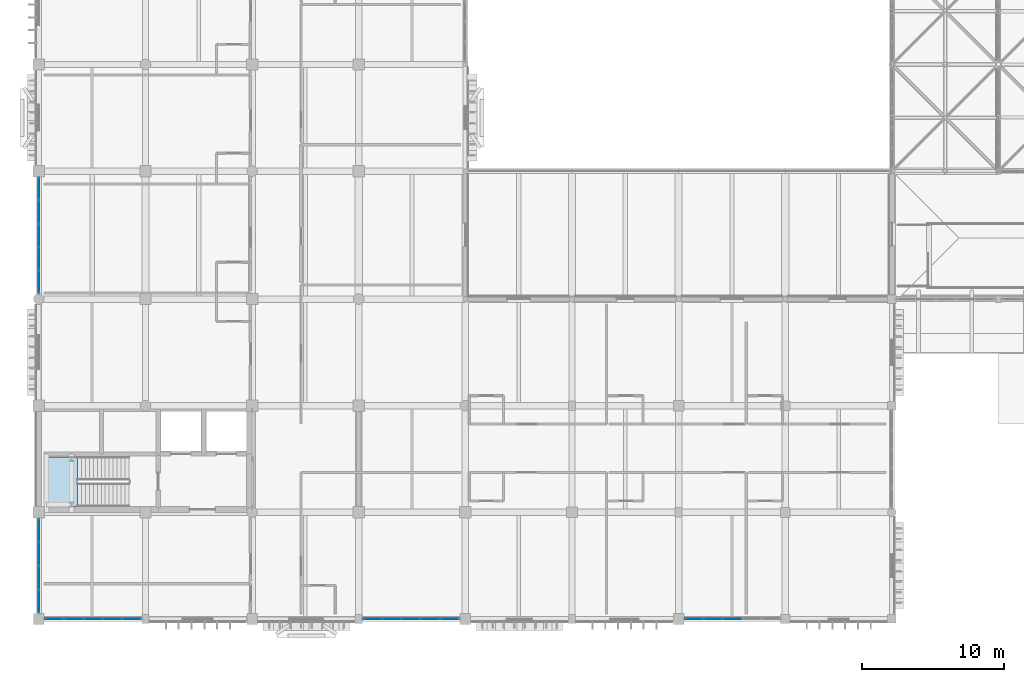
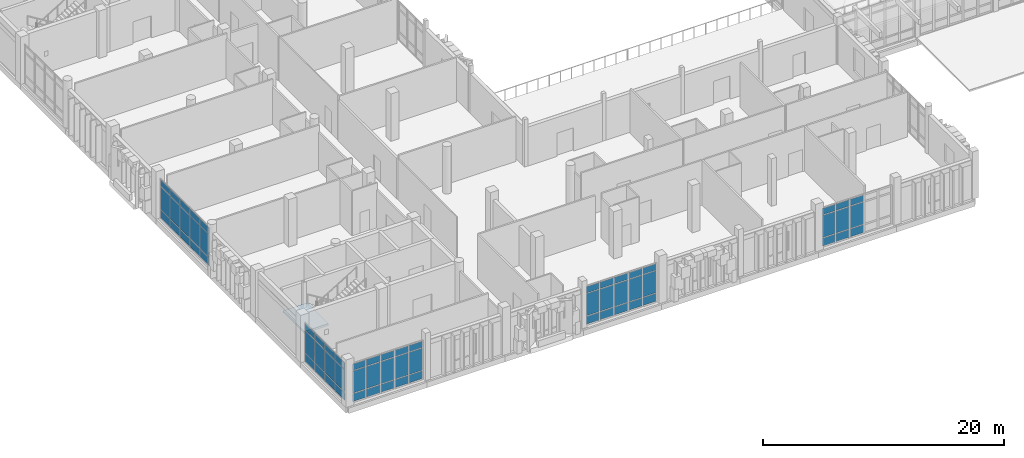
# One storey, part 74 of 131: 66 plates, 1 slab, 6 elements without a shape of their own.
"""IFC4 building model written with IfcOpenShell, lengths in metres."""

from ifc_helpers import new_model, si_unit, direction, frame, origin, origin_2d, place, context, subcontext, project, spatial, polyline, rectangle, outline, extrude, material, layer, layer_set, type_object, element, aggregate, save


model = new_model("IFC4")

# Units and contexts
model_context = context("Model", 3, precision=1e-05, world=origin(), true_north=direction((0.0, 1.0)))
body_context = subcontext(model_context, "Body", "Model", "MODEL_VIEW")
ifc_project = project(units=[si_unit("LENGTHUNIT", "METRE"), si_unit("AREAUNIT", "SQUARE_METRE"), si_unit("VOLUMEUNIT", "CUBIC_METRE"), si_unit("PLANEANGLEUNIT", "RADIAN"), si_unit("MASSUNIT", "GRAM", prefix="KILO")], contexts=[model_context])

# Site, building, storey
site_placement = place(None, origin())
site = spatial("IfcSite", under=ifc_project, at=site_placement, CompositionType="ELEMENT")
building_placement = place(site_placement, origin())
building = spatial("IfcBuilding", under=site, at=building_placement, Name="Dalvernix Boulevard General Hospital", CompositionType="ELEMENT")
storey_placement = place(building_placement, frame((0.0, 0.0, 9.300048828125)))
storey = spatial("IfcBuildingStorey", under=building, at=storey_placement, Name="L02", CompositionType="ELEMENT", Elevation=9.300048828125)

# Curtain wall, plates
ifc_material_1 = material(Name="Thermally broken aluminium and solar-control glass curtain wall", Category="aluminium")
ifc_layer_1 = layer(ifc_material_1, 0.199951171875)
ifc_layer_set_1 = layer_set([ifc_layer_1], Name="Thermally broken aluminium and solar-control glass curtain wall (CW-CW-C-69x40)")
curtain_wall_type_1 = type_object("IfcCurtainWallType", Name="CW-CW-C-69x40", PredefinedType="USERDEFINED", material=ifc_layer_set_1)
curtain_wall_1_placement = place(storey_placement, origin())
curtain_wall_1 = element("IfcCurtainWall", 1, at=curtain_wall_1_placement, inside=storey, type_object=curtain_wall_type_1, Name="L02 curtain wall CW-C-69x40 0-0", ObjectType="GLAZED FACADE", PredefinedType="USERDEFINED")
ifc_material_2 = material(Name="Double-glazed solar-control low-emissivity glass", Category="glass")
ifc_layer_2 = layer(ifc_material_2, 0.035888671875)
ifc_layer_set_2 = layer_set([ifc_layer_2], Name="Double-glazed solar-control low-emissivity glass (PLT-CW-P3)")
plate_type = type_object("IfcPlateType", Name="PLT-CW-P3", PredefinedType="CURTAIN_PANEL", material=ifc_layer_set_2)
plate_1_placement = place(storey_placement, frame((6.537109375, 0.0, 0.070068359375), z_axis=(0.0, 0.0, 1.0), x_axis=(-1.0, 0.0, 0.0)))
plate_1 = element("IfcPlate", 2, at=plate_1_placement, type_object=plate_type, Name="CW-C-69x40 panel 1.1", PredefinedType="CURTAIN_PANEL", context=body_context, shape_type="SweptSolid", body=[
    extrude(rectangle(XDim=1.26611328125, YDim=0.035888671875, at=origin_2d()), origin(), (0.0, 0.0, 1.0), 0.794921875),
])
plate_2_placement = place(storey_placement, frame((6.537109375, 0.0, 0.93505859375), z_axis=(0.0, 0.0, 1.0), x_axis=(-1.0, 0.0, 0.0)))
plate_2 = element("IfcPlate", 3, at=plate_2_placement, type_object=plate_type, Name="CW-C-69x40 panel 1.2", PredefinedType="CURTAIN_PANEL", context=body_context, shape_type="SweptSolid", body=[
    extrude(rectangle(XDim=1.26611328125, YDim=0.035888671875, at=origin_2d()), origin(), (0.0, 0.0, 1.0), 2.22998046875),
])
plate_3_placement = place(storey_placement, frame((6.537109375, 0.0, 3.23486328125), z_axis=(0.0, 0.0, 1.0), x_axis=(-1.0, 0.0, 0.0)))
plate_3 = element("IfcPlate", 4, at=plate_3_placement, type_object=plate_type, Name="CW-C-69x40 panel 1.3", PredefinedType="CURTAIN_PANEL", context=body_context, shape_type="SweptSolid", body=[
    extrude(rectangle(XDim=1.26611328125, YDim=0.035888671875, at=origin_2d()), origin(), (0.0, 0.0, 1.0), 0.64501953125),
])
plate_4_placement = place(storey_placement, frame((5.18359375, 0.0, 0.070068359375), z_axis=(0.0, 0.0, 1.0), x_axis=(-1.0, 0.0, 0.0)))
plate_4 = element("IfcPlate", 5, at=plate_4_placement, type_object=plate_type, Name="CW-C-69x40 panel 2.1", PredefinedType="CURTAIN_PANEL", context=body_context, shape_type="SweptSolid", body=[
    extrude(rectangle(XDim=1.301025390625, YDim=0.035888671875, at=origin_2d()), origin(), (0.0, 0.0, 1.0), 0.794921875),
])
plate_5_placement = place(storey_placement, frame((5.18359375, 0.0, 0.93505859375), z_axis=(0.0, 0.0, 1.0), x_axis=(-1.0, 0.0, 0.0)))
plate_5 = element("IfcPlate", 6, at=plate_5_placement, type_object=plate_type, Name="CW-C-69x40 panel 2.2", PredefinedType="CURTAIN_PANEL", context=body_context, shape_type="SweptSolid", body=[
    extrude(rectangle(XDim=1.301025390625, YDim=0.035888671875, at=origin_2d()), origin(), (0.0, 0.0, 1.0), 2.22998046875),
])
plate_6_placement = place(storey_placement, frame((5.18359375, 0.0, 3.23486328125), z_axis=(0.0, 0.0, 1.0), x_axis=(-1.0, 0.0, 0.0)))
plate_6 = element("IfcPlate", 7, at=plate_6_placement, type_object=plate_type, Name="CW-C-69x40 panel 2.3", PredefinedType="CURTAIN_PANEL", context=body_context, shape_type="SweptSolid", body=[
    extrude(rectangle(XDim=1.301025390625, YDim=0.035888671875, at=origin_2d()), origin(), (0.0, 0.0, 1.0), 0.64501953125),
])
plate_7_placement = place(storey_placement, frame((3.8125, 0.0, 0.070068359375), z_axis=(0.0, 0.0, 1.0), x_axis=(-1.0, 0.0, 0.0)))
plate_7 = element("IfcPlate", 8, at=plate_7_placement, type_object=plate_type, Name="CW-C-69x40 panel 3.1", PredefinedType="CURTAIN_PANEL", context=body_context, shape_type="SweptSolid", body=[
    extrude(rectangle(XDim=1.301025390625, YDim=0.035888671875, at=origin_2d()), origin(), (0.0, 0.0, 1.0), 0.794921875),
])
plate_8_placement = place(storey_placement, frame((3.8125, 0.0, 0.93505859375), z_axis=(0.0, 0.0, 1.0), x_axis=(-1.0, 0.0, 0.0)))
plate_8 = element("IfcPlate", 9, at=plate_8_placement, type_object=plate_type, Name="CW-C-69x40 panel 3.2", PredefinedType="CURTAIN_PANEL", context=body_context, shape_type="SweptSolid", body=[
    extrude(rectangle(XDim=1.301025390625, YDim=0.035888671875, at=origin_2d()), origin(), (0.0, 0.0, 1.0), 2.22998046875),
])
plate_9_placement = place(storey_placement, frame((3.8125, 0.0, 3.23486328125), z_axis=(0.0, 0.0, 1.0), x_axis=(-1.0, 0.0, 0.0)))
plate_9 = element("IfcPlate", 10, at=plate_9_placement, type_object=plate_type, Name="CW-C-69x40 panel 3.3", PredefinedType="CURTAIN_PANEL", context=body_context, shape_type="SweptSolid", body=[
    extrude(rectangle(XDim=1.301025390625, YDim=0.035888671875, at=origin_2d()), origin(), (0.0, 0.0, 1.0), 0.64501953125),
])
plate_10_placement = place(storey_placement, frame((2.44140625, 0.0, 0.070068359375), z_axis=(0.0, 0.0, 1.0), x_axis=(-1.0, 0.0, 0.0)))
plate_10 = element("IfcPlate", 11, at=plate_10_placement, type_object=plate_type, Name="CW-C-69x40 panel 4.1", PredefinedType="CURTAIN_PANEL", context=body_context, shape_type="SweptSolid", body=[
    extrude(rectangle(XDim=1.301025390625, YDim=0.035888671875, at=origin_2d()), origin(), (0.0, 0.0, 1.0), 0.794921875),
])
plate_11_placement = place(storey_placement, frame((2.44140625, 0.0, 0.93505859375), z_axis=(0.0, 0.0, 1.0), x_axis=(-1.0, 0.0, 0.0)))
plate_11 = element("IfcPlate", 12, at=plate_11_placement, type_object=plate_type, Name="CW-C-69x40 panel 4.2", PredefinedType="CURTAIN_PANEL", context=body_context, shape_type="SweptSolid", body=[
    extrude(rectangle(XDim=1.301025390625, YDim=0.035888671875, at=origin_2d()), origin(), (0.0, 0.0, 1.0), 2.22998046875),
])
plate_12_placement = place(storey_placement, frame((2.44140625, 0.0, 3.23486328125), z_axis=(0.0, 0.0, 1.0), x_axis=(-1.0, 0.0, 0.0)))
plate_12 = element("IfcPlate", 13, at=plate_12_placement, type_object=plate_type, Name="CW-C-69x40 panel 4.3", PredefinedType="CURTAIN_PANEL", context=body_context, shape_type="SweptSolid", body=[
    extrude(rectangle(XDim=1.301025390625, YDim=0.035888671875, at=origin_2d()), origin(), (0.0, 0.0, 1.0), 0.64501953125),
])
plate_13_placement = place(storey_placement, frame((1.087890625, 0.0, 0.070068359375), z_axis=(0.0, 0.0, 1.0), x_axis=(-1.0, 0.0, 0.0)))
plate_13 = element("IfcPlate", 14, at=plate_13_placement, type_object=plate_type, Name="CW-C-69x40 panel 5.1", PredefinedType="CURTAIN_PANEL", context=body_context, shape_type="SweptSolid", body=[
    extrude(rectangle(XDim=1.26611328125, YDim=0.035888671875, at=origin_2d()), origin(), (0.0, 0.0, 1.0), 0.794921875),
])
plate_14_placement = place(storey_placement, frame((1.087890625, 0.0, 0.93505859375), z_axis=(0.0, 0.0, 1.0), x_axis=(-1.0, 0.0, 0.0)))
plate_14 = element("IfcPlate", 15, at=plate_14_placement, type_object=plate_type, Name="CW-C-69x40 panel 5.2", PredefinedType="CURTAIN_PANEL", context=body_context, shape_type="SweptSolid", body=[
    extrude(rectangle(XDim=1.26611328125, YDim=0.035888671875, at=origin_2d()), origin(), (0.0, 0.0, 1.0), 2.22998046875),
])
plate_15_placement = place(storey_placement, frame((1.087890625, 0.0, 3.23486328125), z_axis=(0.0, 0.0, 1.0), x_axis=(-1.0, 0.0, 0.0)))
plate_15 = element("IfcPlate", 16, at=plate_15_placement, type_object=plate_type, Name="CW-C-69x40 panel 5.3", PredefinedType="CURTAIN_PANEL", context=body_context, shape_type="SweptSolid", body=[
    extrude(rectangle(XDim=1.26611328125, YDim=0.035888671875, at=origin_2d()), origin(), (0.0, 0.0, 1.0), 0.64501953125),
])
aggregate(curtain_wall_1, [plate_1, plate_2, plate_3, plate_4, plate_5, plate_6, plate_7, plate_8, plate_9, plate_10, plate_11, plate_12, plate_13, plate_14, plate_15])

ifc_layer_3 = layer(ifc_material_1, 0.199951171875)
ifc_layer_set_3 = layer_set([ifc_layer_3], Name="Thermally broken aluminium and solar-control glass curtain wall (CW-CW-C-67x40)")
curtain_wall_type_2 = type_object("IfcCurtainWallType", Name="CW-CW-C-67x40", PredefinedType="USERDEFINED", material=ifc_layer_set_3)
curtain_wall_2_placement = place(storey_placement, origin())
curtain_wall_2 = element("IfcCurtainWall", 17, at=curtain_wall_2_placement, inside=storey, type_object=curtain_wall_type_2, Name="L02 curtain wall CW-C-67x40 0-0", ObjectType="GLAZED FACADE", PredefinedType="USERDEFINED")
plate_16_placement = place(storey_placement, frame((0.0, 1.24072265625, 0.070068359375), z_axis=(0.0, 0.0, 1.0), x_axis=(0.0, 1.0, 0.0)))
plate_16 = element("IfcPlate", 18, at=plate_16_placement, type_object=plate_type, Name="CW-C-67x40 panel 1.1", PredefinedType="CURTAIN_PANEL", context=body_context, shape_type="SweptSolid", body=[
    extrude(rectangle(XDim=1.5712890625, YDim=0.035888671875, at=origin_2d()), origin(), (0.0, 0.0, 1.0), 0.794921875),
])
plate_17_placement = place(storey_placement, frame((0.0, 1.24072265625, 0.93505859375), z_axis=(0.0, 0.0, 1.0), x_axis=(0.0, 1.0, 0.0)))
plate_17 = element("IfcPlate", 19, at=plate_17_placement, type_object=plate_type, Name="CW-C-67x40 panel 1.2", PredefinedType="CURTAIN_PANEL", context=body_context, shape_type="SweptSolid", body=[
    extrude(rectangle(XDim=1.5712890625, YDim=0.035888671875, at=origin_2d()), origin(), (0.0, 0.0, 1.0), 2.22998046875),
])
plate_18_placement = place(storey_placement, frame((0.0, 1.24072265625, 3.23486328125), z_axis=(0.0, 0.0, 1.0), x_axis=(0.0, 1.0, 0.0)))
plate_18 = element("IfcPlate", 20, at=plate_18_placement, type_object=plate_type, Name="CW-C-67x40 panel 1.3", PredefinedType="CURTAIN_PANEL", context=body_context, shape_type="SweptSolid", body=[
    extrude(rectangle(XDim=1.5712890625, YDim=0.035888671875, at=origin_2d()), origin(), (0.0, 0.0, 1.0), 0.64501953125),
])
plate_19_placement = place(storey_placement, frame((0.0, 2.8994140625, 0.070068359375), z_axis=(0.0, 0.0, 1.0), x_axis=(0.0, 1.0, 0.0)))
plate_19 = element("IfcPlate", 21, at=plate_19_placement, type_object=plate_type, Name="CW-C-67x40 panel 2.1", PredefinedType="CURTAIN_PANEL", context=body_context, shape_type="SweptSolid", body=[
    extrude(rectangle(XDim=1.606201171875, YDim=0.035888671875, at=origin_2d()), origin(), (0.0, 0.0, 1.0), 0.794921875),
])
plate_20_placement = place(storey_placement, frame((0.0, 2.8994140625, 0.93505859375), z_axis=(0.0, 0.0, 1.0), x_axis=(0.0, 1.0, 0.0)))
plate_20 = element("IfcPlate", 22, at=plate_20_placement, type_object=plate_type, Name="CW-C-67x40 panel 2.2", PredefinedType="CURTAIN_PANEL", context=body_context, shape_type="SweptSolid", body=[
    extrude(rectangle(XDim=1.606201171875, YDim=0.035888671875, at=origin_2d()), origin(), (0.0, 0.0, 1.0), 2.22998046875),
])
plate_21_placement = place(storey_placement, frame((0.0, 2.8994140625, 3.23486328125), z_axis=(0.0, 0.0, 1.0), x_axis=(0.0, 1.0, 0.0)))
plate_21 = element("IfcPlate", 23, at=plate_21_placement, type_object=plate_type, Name="CW-C-67x40 panel 2.3", PredefinedType="CURTAIN_PANEL", context=body_context, shape_type="SweptSolid", body=[
    extrude(rectangle(XDim=1.606201171875, YDim=0.035888671875, at=origin_2d()), origin(), (0.0, 0.0, 1.0), 0.64501953125),
])
plate_22_placement = place(storey_placement, frame((0.0, 4.57568359375, 0.070068359375), z_axis=(0.0, 0.0, 1.0), x_axis=(0.0, 1.0, 0.0)))
plate_22 = element("IfcPlate", 24, at=plate_22_placement, type_object=plate_type, Name="CW-C-67x40 panel 3.1", PredefinedType="CURTAIN_PANEL", context=body_context, shape_type="SweptSolid", body=[
    extrude(rectangle(XDim=1.606201171875, YDim=0.035888671875, at=origin_2d()), origin(), (0.0, 0.0, 1.0), 0.794921875),
])
plate_23_placement = place(storey_placement, frame((0.0, 4.57568359375, 0.93505859375), z_axis=(0.0, 0.0, 1.0), x_axis=(0.0, 1.0, 0.0)))
plate_23 = element("IfcPlate", 25, at=plate_23_placement, type_object=plate_type, Name="CW-C-67x40 panel 3.2", PredefinedType="CURTAIN_PANEL", context=body_context, shape_type="SweptSolid", body=[
    extrude(rectangle(XDim=1.606201171875, YDim=0.035888671875, at=origin_2d()), origin(), (0.0, 0.0, 1.0), 2.22998046875),
])
plate_24_placement = place(storey_placement, frame((0.0, 4.57568359375, 3.23486328125), z_axis=(0.0, 0.0, 1.0), x_axis=(0.0, 1.0, 0.0)))
plate_24 = element("IfcPlate", 26, at=plate_24_placement, type_object=plate_type, Name="CW-C-67x40 panel 3.3", PredefinedType="CURTAIN_PANEL", context=body_context, shape_type="SweptSolid", body=[
    extrude(rectangle(XDim=1.606201171875, YDim=0.035888671875, at=origin_2d()), origin(), (0.0, 0.0, 1.0), 0.64501953125),
])
plate_25_placement = place(storey_placement, frame((0.0, 6.234375, 0.070068359375), z_axis=(0.0, 0.0, 1.0), x_axis=(0.0, 1.0, 0.0)))
plate_25 = element("IfcPlate", 27, at=plate_25_placement, type_object=plate_type, Name="CW-C-67x40 panel 4.1", PredefinedType="CURTAIN_PANEL", context=body_context, shape_type="SweptSolid", body=[
    extrude(rectangle(XDim=1.5712890625, YDim=0.035888671875, at=origin_2d()), origin(), (0.0, 0.0, 1.0), 0.794921875),
])
plate_26_placement = place(storey_placement, frame((0.0, 6.234375, 0.93505859375), z_axis=(0.0, 0.0, 1.0), x_axis=(0.0, 1.0, 0.0)))
plate_26 = element("IfcPlate", 28, at=plate_26_placement, type_object=plate_type, Name="CW-C-67x40 panel 4.2", PredefinedType="CURTAIN_PANEL", context=body_context, shape_type="SweptSolid", body=[
    extrude(rectangle(XDim=1.5712890625, YDim=0.035888671875, at=origin_2d()), origin(), (0.0, 0.0, 1.0), 2.22998046875),
])
plate_27_placement = place(storey_placement, frame((0.0, 6.234375, 3.23486328125), z_axis=(0.0, 0.0, 1.0), x_axis=(0.0, 1.0, 0.0)))
plate_27 = element("IfcPlate", 29, at=plate_27_placement, type_object=plate_type, Name="CW-C-67x40 panel 4.3", PredefinedType="CURTAIN_PANEL", context=body_context, shape_type="SweptSolid", body=[
    extrude(rectangle(XDim=1.5712890625, YDim=0.035888671875, at=origin_2d()), origin(), (0.0, 0.0, 1.0), 0.64501953125),
])
aggregate(curtain_wall_2, [plate_16, plate_17, plate_18, plate_19, plate_20, plate_21, plate_22, plate_23, plate_24, plate_25, plate_26, plate_27])

ifc_layer_4 = layer(ifc_material_1, 0.199951171875)
ifc_layer_set_4 = layer_set([ifc_layer_4], Name="Thermally broken aluminium and solar-control glass curtain wall (CW-CW-C-82x40)")
curtain_wall_type_3 = type_object("IfcCurtainWallType", Name="CW-CW-C-82x40", PredefinedType="USERDEFINED", material=ifc_layer_set_4)
curtain_wall_3_placement = place(storey_placement, origin())
curtain_wall_3 = element("IfcCurtainWall", 30, at=curtain_wall_3_placement, inside=storey, type_object=curtain_wall_type_3, Name="L02 curtain wall CW-C-82x40 0-3", ObjectType="GLAZED FACADE", PredefinedType="USERDEFINED")
plate_28_placement = place(storey_placement, frame((0.0, 23.722900390625, 0.070068359375), z_axis=(0.0, 0.0, 1.0), x_axis=(0.0, 1.0, 0.0)))
plate_28 = element("IfcPlate", 31, at=plate_28_placement, type_object=plate_type, Name="CW-C-82x40 panel 1.1", PredefinedType="CURTAIN_PANEL", context=body_context, shape_type="SweptSolid", body=[
    extrude(rectangle(XDim=1.535888671875, YDim=0.035888671875, at=origin_2d()), origin(), (0.0, 0.0, 1.0), 0.794921875),
])
plate_29_placement = place(storey_placement, frame((0.0, 23.722900390625, 0.93505859375), z_axis=(0.0, 0.0, 1.0), x_axis=(0.0, 1.0, 0.0)))
plate_29 = element("IfcPlate", 32, at=plate_29_placement, type_object=plate_type, Name="CW-C-82x40 panel 1.2", PredefinedType="CURTAIN_PANEL", context=body_context, shape_type="SweptSolid", body=[
    extrude(rectangle(XDim=1.535888671875, YDim=0.035888671875, at=origin_2d()), origin(), (0.0, 0.0, 1.0), 2.280029296875),
])
plate_30_placement = place(storey_placement, frame((0.0, 23.722900390625, 3.284912109375), z_axis=(0.0, 0.0, 1.0), x_axis=(0.0, 1.0, 0.0)))
plate_30 = element("IfcPlate", 33, at=plate_30_placement, type_object=plate_type, Name="CW-C-82x40 panel 1.3", PredefinedType="CURTAIN_PANEL", context=body_context, shape_type="SweptSolid", body=[
    extrude(rectangle(XDim=1.535888671875, YDim=0.035888671875, at=origin_2d()), origin(), (0.0, 0.0, 1.0), 0.64501953125),
])
plate_31_placement = place(storey_placement, frame((0.0, 25.346435546875, 0.070068359375), z_axis=(0.0, 0.0, 1.0), x_axis=(0.0, 1.0, 0.0)))
plate_31 = element("IfcPlate", 34, at=plate_31_placement, type_object=plate_type, Name="CW-C-82x40 panel 2.1", PredefinedType="CURTAIN_PANEL", context=body_context, shape_type="SweptSolid", body=[
    extrude(rectangle(XDim=1.571044921875, YDim=0.035888671875, at=origin_2d()), origin(), (0.0, 0.0, 1.0), 0.794921875),
])
plate_32_placement = place(storey_placement, frame((0.0, 25.346435546875, 0.93505859375), z_axis=(0.0, 0.0, 1.0), x_axis=(0.0, 1.0, 0.0)))
plate_32 = element("IfcPlate", 35, at=plate_32_placement, type_object=plate_type, Name="CW-C-82x40 panel 2.2", PredefinedType="CURTAIN_PANEL", context=body_context, shape_type="SweptSolid", body=[
    extrude(rectangle(XDim=1.571044921875, YDim=0.035888671875, at=origin_2d()), origin(), (0.0, 0.0, 1.0), 2.280029296875),
])
plate_33_placement = place(storey_placement, frame((0.0, 25.346435546875, 3.284912109375), z_axis=(0.0, 0.0, 1.0), x_axis=(0.0, 1.0, 0.0)))
plate_33 = element("IfcPlate", 36, at=plate_33_placement, type_object=plate_type, Name="CW-C-82x40 panel 2.3", PredefinedType="CURTAIN_PANEL", context=body_context, shape_type="SweptSolid", body=[
    extrude(rectangle(XDim=1.571044921875, YDim=0.035888671875, at=origin_2d()), origin(), (0.0, 0.0, 1.0), 0.64501953125),
])
plate_34_placement = place(storey_placement, frame((0.0, 26.987548828125, 0.070068359375), z_axis=(0.0, 0.0, 1.0), x_axis=(0.0, 1.0, 0.0)))
plate_34 = element("IfcPlate", 37, at=plate_34_placement, type_object=plate_type, Name="CW-C-82x40 panel 3.1", PredefinedType="CURTAIN_PANEL", context=body_context, shape_type="SweptSolid", body=[
    extrude(rectangle(XDim=1.571044921875, YDim=0.035888671875, at=origin_2d()), origin(), (0.0, 0.0, 1.0), 0.794921875),
])
plate_35_placement = place(storey_placement, frame((0.0, 26.987548828125, 0.93505859375), z_axis=(0.0, 0.0, 1.0), x_axis=(0.0, 1.0, 0.0)))
plate_35 = element("IfcPlate", 38, at=plate_35_placement, type_object=plate_type, Name="CW-C-82x40 panel 3.2", PredefinedType="CURTAIN_PANEL", context=body_context, shape_type="SweptSolid", body=[
    extrude(rectangle(XDim=1.571044921875, YDim=0.035888671875, at=origin_2d()), origin(), (0.0, 0.0, 1.0), 2.280029296875),
])
plate_36_placement = place(storey_placement, frame((0.0, 26.987548828125, 3.284912109375), z_axis=(0.0, 0.0, 1.0), x_axis=(0.0, 1.0, 0.0)))
plate_36 = element("IfcPlate", 39, at=plate_36_placement, type_object=plate_type, Name="CW-C-82x40 panel 3.3", PredefinedType="CURTAIN_PANEL", context=body_context, shape_type="SweptSolid", body=[
    extrude(rectangle(XDim=1.571044921875, YDim=0.035888671875, at=origin_2d()), origin(), (0.0, 0.0, 1.0), 0.64501953125),
])
plate_37_placement = place(storey_placement, frame((0.0, 28.62841796875, 0.070068359375), z_axis=(0.0, 0.0, 1.0), x_axis=(0.0, 1.0, 0.0)))
plate_37 = element("IfcPlate", 40, at=plate_37_placement, type_object=plate_type, Name="CW-C-82x40 panel 4.1", PredefinedType="CURTAIN_PANEL", context=body_context, shape_type="SweptSolid", body=[
    extrude(rectangle(XDim=1.571044921875, YDim=0.035888671875, at=origin_2d()), origin(), (0.0, 0.0, 1.0), 0.794921875),
])
plate_38_placement = place(storey_placement, frame((0.0, 28.62841796875, 0.93505859375), z_axis=(0.0, 0.0, 1.0), x_axis=(0.0, 1.0, 0.0)))
plate_38 = element("IfcPlate", 41, at=plate_38_placement, type_object=plate_type, Name="CW-C-82x40 panel 4.2", PredefinedType="CURTAIN_PANEL", context=body_context, shape_type="SweptSolid", body=[
    extrude(rectangle(XDim=1.571044921875, YDim=0.035888671875, at=origin_2d()), origin(), (0.0, 0.0, 1.0), 2.280029296875),
])
plate_39_placement = place(storey_placement, frame((0.0, 28.62841796875, 3.284912109375), z_axis=(0.0, 0.0, 1.0), x_axis=(0.0, 1.0, 0.0)))
plate_39 = element("IfcPlate", 42, at=plate_39_placement, type_object=plate_type, Name="CW-C-82x40 panel 4.3", PredefinedType="CURTAIN_PANEL", context=body_context, shape_type="SweptSolid", body=[
    extrude(rectangle(XDim=1.571044921875, YDim=0.035888671875, at=origin_2d()), origin(), (0.0, 0.0, 1.0), 0.64501953125),
])
plate_40_placement = place(storey_placement, frame((0.0, 30.251953125, 0.070068359375), z_axis=(0.0, 0.0, 1.0), x_axis=(0.0, 1.0, 0.0)))
plate_40 = element("IfcPlate", 43, at=plate_40_placement, type_object=plate_type, Name="CW-C-82x40 panel 5.1", PredefinedType="CURTAIN_PANEL", context=body_context, shape_type="SweptSolid", body=[
    extrude(rectangle(XDim=1.535888671875, YDim=0.035888671875, at=origin_2d()), origin(), (0.0, 0.0, 1.0), 0.794921875),
])
plate_41_placement = place(storey_placement, frame((0.0, 30.251953125, 0.93505859375), z_axis=(0.0, 0.0, 1.0), x_axis=(0.0, 1.0, 0.0)))
plate_41 = element("IfcPlate", 44, at=plate_41_placement, type_object=plate_type, Name="CW-C-82x40 panel 5.2", PredefinedType="CURTAIN_PANEL", context=body_context, shape_type="SweptSolid", body=[
    extrude(rectangle(XDim=1.535888671875, YDim=0.035888671875, at=origin_2d()), origin(), (0.0, 0.0, 1.0), 2.280029296875),
])
plate_42_placement = place(storey_placement, frame((0.0, 30.251953125, 3.284912109375), z_axis=(0.0, 0.0, 1.0), x_axis=(0.0, 1.0, 0.0)))
plate_42 = element("IfcPlate", 45, at=plate_42_placement, type_object=plate_type, Name="CW-C-82x40 panel 5.3", PredefinedType="CURTAIN_PANEL", context=body_context, shape_type="SweptSolid", body=[
    extrude(rectangle(XDim=1.535888671875, YDim=0.035888671875, at=origin_2d()), origin(), (0.0, 0.0, 1.0), 0.64501953125),
])
aggregate(curtain_wall_3, [plate_28, plate_29, plate_30, plate_31, plate_32, plate_33, plate_34, plate_35, plate_36, plate_37, plate_38, plate_39, plate_40, plate_41, plate_42])

curtain_wall_4_placement = place(storey_placement, origin())
curtain_wall_4 = element("IfcCurtainWall", 46, at=curtain_wall_4_placement, inside=storey, type_object=curtain_wall_type_1, Name="L02 curtain wall CW-C-69x40 3-0", ObjectType="GLAZED FACADE", PredefinedType="USERDEFINED")
plate_43_placement = place(storey_placement, frame((28.912109375, 0.0, 0.070068359375), z_axis=(0.0, 0.0, 1.0), x_axis=(-1.0, 0.0, 0.0)))
plate_43 = element("IfcPlate", 47, at=plate_43_placement, type_object=plate_type, Name="CW-C-69x40 panel 1.1", PredefinedType="CURTAIN_PANEL", context=body_context, shape_type="SweptSolid", body=[
    extrude(rectangle(XDim=1.26611328125, YDim=0.035888671875, at=origin_2d()), origin(), (0.0, 0.0, 1.0), 0.794921875),
])
plate_44_placement = place(storey_placement, frame((28.912109375, 0.0, 0.93505859375), z_axis=(0.0, 0.0, 1.0), x_axis=(-1.0, 0.0, 0.0)))
plate_44 = element("IfcPlate", 48, at=plate_44_placement, type_object=plate_type, Name="CW-C-69x40 panel 1.2", PredefinedType="CURTAIN_PANEL", context=body_context, shape_type="SweptSolid", body=[
    extrude(rectangle(XDim=1.26611328125, YDim=0.035888671875, at=origin_2d()), origin(), (0.0, 0.0, 1.0), 2.22998046875),
])
plate_45_placement = place(storey_placement, frame((28.912109375, 0.0, 3.23486328125), z_axis=(0.0, 0.0, 1.0), x_axis=(-1.0, 0.0, 0.0)))
plate_45 = element("IfcPlate", 49, at=plate_45_placement, type_object=plate_type, Name="CW-C-69x40 panel 1.3", PredefinedType="CURTAIN_PANEL", context=body_context, shape_type="SweptSolid", body=[
    extrude(rectangle(XDim=1.26611328125, YDim=0.035888671875, at=origin_2d()), origin(), (0.0, 0.0, 1.0), 0.64501953125),
])
plate_46_placement = place(storey_placement, frame((27.55859375, 0.0, 0.070068359375), z_axis=(0.0, 0.0, 1.0), x_axis=(-1.0, 0.0, 0.0)))
plate_46 = element("IfcPlate", 50, at=plate_46_placement, type_object=plate_type, Name="CW-C-69x40 panel 2.1", PredefinedType="CURTAIN_PANEL", context=body_context, shape_type="SweptSolid", body=[
    extrude(rectangle(XDim=1.301025390625, YDim=0.035888671875, at=origin_2d()), origin(), (0.0, 0.0, 1.0), 0.794921875),
])
plate_47_placement = place(storey_placement, frame((27.55859375, 0.0, 0.93505859375), z_axis=(0.0, 0.0, 1.0), x_axis=(-1.0, 0.0, 0.0)))
plate_47 = element("IfcPlate", 51, at=plate_47_placement, type_object=plate_type, Name="CW-C-69x40 panel 2.2", PredefinedType="CURTAIN_PANEL", context=body_context, shape_type="SweptSolid", body=[
    extrude(rectangle(XDim=1.301025390625, YDim=0.035888671875, at=origin_2d()), origin(), (0.0, 0.0, 1.0), 2.22998046875),
])
plate_48_placement = place(storey_placement, frame((27.55859375, 0.0, 3.23486328125), z_axis=(0.0, 0.0, 1.0), x_axis=(-1.0, 0.0, 0.0)))
plate_48 = element("IfcPlate", 52, at=plate_48_placement, type_object=plate_type, Name="CW-C-69x40 panel 2.3", PredefinedType="CURTAIN_PANEL", context=body_context, shape_type="SweptSolid", body=[
    extrude(rectangle(XDim=1.301025390625, YDim=0.035888671875, at=origin_2d()), origin(), (0.0, 0.0, 1.0), 0.64501953125),
])
plate_49_placement = place(storey_placement, frame((26.1875, 0.0, 0.070068359375), z_axis=(0.0, 0.0, 1.0), x_axis=(-1.0, 0.0, 0.0)))
plate_49 = element("IfcPlate", 53, at=plate_49_placement, type_object=plate_type, Name="CW-C-69x40 panel 3.1", PredefinedType="CURTAIN_PANEL", context=body_context, shape_type="SweptSolid", body=[
    extrude(rectangle(XDim=1.301025390625, YDim=0.035888671875, at=origin_2d()), origin(), (0.0, 0.0, 1.0), 0.794921875),
])
plate_50_placement = place(storey_placement, frame((26.1875, 0.0, 0.93505859375), z_axis=(0.0, 0.0, 1.0), x_axis=(-1.0, 0.0, 0.0)))
plate_50 = element("IfcPlate", 54, at=plate_50_placement, type_object=plate_type, Name="CW-C-69x40 panel 3.2", PredefinedType="CURTAIN_PANEL", context=body_context, shape_type="SweptSolid", body=[
    extrude(rectangle(XDim=1.301025390625, YDim=0.035888671875, at=origin_2d()), origin(), (0.0, 0.0, 1.0), 2.22998046875),
])
plate_51_placement = place(storey_placement, frame((26.1875, 0.0, 3.23486328125), z_axis=(0.0, 0.0, 1.0), x_axis=(-1.0, 0.0, 0.0)))
plate_51 = element("IfcPlate", 55, at=plate_51_placement, type_object=plate_type, Name="CW-C-69x40 panel 3.3", PredefinedType="CURTAIN_PANEL", context=body_context, shape_type="SweptSolid", body=[
    extrude(rectangle(XDim=1.301025390625, YDim=0.035888671875, at=origin_2d()), origin(), (0.0, 0.0, 1.0), 0.64501953125),
])
plate_52_placement = place(storey_placement, frame((24.81640625, 0.0, 0.070068359375), z_axis=(0.0, 0.0, 1.0), x_axis=(-1.0, 0.0, 0.0)))
plate_52 = element("IfcPlate", 56, at=plate_52_placement, type_object=plate_type, Name="CW-C-69x40 panel 4.1", PredefinedType="CURTAIN_PANEL", context=body_context, shape_type="SweptSolid", body=[
    extrude(rectangle(XDim=1.301025390625, YDim=0.035888671875, at=origin_2d()), origin(), (0.0, 0.0, 1.0), 0.794921875),
])
plate_53_placement = place(storey_placement, frame((24.81640625, 0.0, 0.93505859375), z_axis=(0.0, 0.0, 1.0), x_axis=(-1.0, 0.0, 0.0)))
plate_53 = element("IfcPlate", 57, at=plate_53_placement, type_object=plate_type, Name="CW-C-69x40 panel 4.2", PredefinedType="CURTAIN_PANEL", context=body_context, shape_type="SweptSolid", body=[
    extrude(rectangle(XDim=1.301025390625, YDim=0.035888671875, at=origin_2d()), origin(), (0.0, 0.0, 1.0), 2.22998046875),
])
plate_54_placement = place(storey_placement, frame((24.81640625, 0.0, 3.23486328125), z_axis=(0.0, 0.0, 1.0), x_axis=(-1.0, 0.0, 0.0)))
plate_54 = element("IfcPlate", 58, at=plate_54_placement, type_object=plate_type, Name="CW-C-69x40 panel 4.3", PredefinedType="CURTAIN_PANEL", context=body_context, shape_type="SweptSolid", body=[
    extrude(rectangle(XDim=1.301025390625, YDim=0.035888671875, at=origin_2d()), origin(), (0.0, 0.0, 1.0), 0.64501953125),
])
plate_55_placement = place(storey_placement, frame((23.462890625, 0.0, 0.070068359375), z_axis=(0.0, 0.0, 1.0), x_axis=(-1.0, 0.0, 0.0)))
plate_55 = element("IfcPlate", 59, at=plate_55_placement, type_object=plate_type, Name="CW-C-69x40 panel 5.1", PredefinedType="CURTAIN_PANEL", context=body_context, shape_type="SweptSolid", body=[
    extrude(rectangle(XDim=1.26611328125, YDim=0.035888671875, at=origin_2d()), origin(), (0.0, 0.0, 1.0), 0.794921875),
])
plate_56_placement = place(storey_placement, frame((23.462890625, 0.0, 0.93505859375), z_axis=(0.0, 0.0, 1.0), x_axis=(-1.0, 0.0, 0.0)))
plate_56 = element("IfcPlate", 60, at=plate_56_placement, type_object=plate_type, Name="CW-C-69x40 panel 5.2", PredefinedType="CURTAIN_PANEL", context=body_context, shape_type="SweptSolid", body=[
    extrude(rectangle(XDim=1.26611328125, YDim=0.035888671875, at=origin_2d()), origin(), (0.0, 0.0, 1.0), 2.22998046875),
])
plate_57_placement = place(storey_placement, frame((23.462890625, 0.0, 3.23486328125), z_axis=(0.0, 0.0, 1.0), x_axis=(-1.0, 0.0, 0.0)))
plate_57 = element("IfcPlate", 61, at=plate_57_placement, type_object=plate_type, Name="CW-C-69x40 panel 5.3", PredefinedType="CURTAIN_PANEL", context=body_context, shape_type="SweptSolid", body=[
    extrude(rectangle(XDim=1.26611328125, YDim=0.035888671875, at=origin_2d()), origin(), (0.0, 0.0, 1.0), 0.64501953125),
])
aggregate(curtain_wall_4, [plate_43, plate_44, plate_45, plate_46, plate_47, plate_48, plate_49, plate_50, plate_51, plate_52, plate_53, plate_54, plate_55, plate_56, plate_57])

ifc_layer_5 = layer(ifc_material_1, 0.199951171875)
ifc_layer_set_5 = layer_set([ifc_layer_5], Name="Thermally broken aluminium and solar-control glass curtain wall (CW-CW-C-68x40)")
curtain_wall_type_4 = type_object("IfcCurtainWallType", Name="CW-CW-C-68x40", PredefinedType="USERDEFINED", material=ifc_layer_set_5)
curtain_wall_5_placement = place(storey_placement, origin())
curtain_wall_5 = element("IfcCurtainWall", 62, at=curtain_wall_5_placement, inside=storey, type_object=curtain_wall_type_4, Name="L02 curtain wall CW-C-68x40 6-0", ObjectType="GLAZED FACADE", PredefinedType="USERDEFINED")
plate_58_placement = place(storey_placement, frame((48.77490234375, 0.0, 0.070068359375), z_axis=(0.0, 0.0, 1.0), x_axis=(-1.0, 0.0, 0.0)))
plate_58 = element("IfcPlate", 63, at=plate_58_placement, type_object=plate_type, Name="CW-C-68x40 panel 3.1", PredefinedType="CURTAIN_PANEL", context=body_context, shape_type="SweptSolid", body=[
    extrude(rectangle(XDim=1.285888671875, YDim=0.035888671875, at=origin_2d()), origin(), (0.0, 0.0, 1.0), 0.794921875),
])
plate_59_placement = place(storey_placement, frame((48.77490234375, 0.0, 0.93505859375), z_axis=(0.0, 0.0, 1.0), x_axis=(-1.0, 0.0, 0.0)))
plate_59 = element("IfcPlate", 64, at=plate_59_placement, type_object=plate_type, Name="CW-C-68x40 panel 3.2", PredefinedType="CURTAIN_PANEL", context=body_context, shape_type="SweptSolid", body=[
    extrude(rectangle(XDim=1.285888671875, YDim=0.035888671875, at=origin_2d()), origin(), (0.0, 0.0, 1.0), 2.22998046875),
])
plate_60_placement = place(storey_placement, frame((48.77490234375, 0.0, 3.23486328125), z_axis=(0.0, 0.0, 1.0), x_axis=(-1.0, 0.0, 0.0)))
plate_60 = element("IfcPlate", 65, at=plate_60_placement, type_object=plate_type, Name="CW-C-68x40 panel 3.3", PredefinedType="CURTAIN_PANEL", context=body_context, shape_type="SweptSolid", body=[
    extrude(rectangle(XDim=1.285888671875, YDim=0.035888671875, at=origin_2d()), origin(), (0.0, 0.0, 1.0), 0.64501953125),
])
plate_61_placement = place(storey_placement, frame((47.4189453125, 0.0, 0.070068359375), z_axis=(0.0, 0.0, 1.0), x_axis=(-1.0, 0.0, 0.0)))
plate_61 = element("IfcPlate", 66, at=plate_61_placement, type_object=plate_type, Name="CW-C-68x40 panel 4.1", PredefinedType="CURTAIN_PANEL", context=body_context, shape_type="SweptSolid", body=[
    extrude(rectangle(XDim=1.285888671875, YDim=0.035888671875, at=origin_2d()), origin(), (0.0, 0.0, 1.0), 0.794921875),
])
plate_62_placement = place(storey_placement, frame((47.4189453125, 0.0, 0.93505859375), z_axis=(0.0, 0.0, 1.0), x_axis=(-1.0, 0.0, 0.0)))
plate_62 = element("IfcPlate", 67, at=plate_62_placement, type_object=plate_type, Name="CW-C-68x40 panel 4.2", PredefinedType="CURTAIN_PANEL", context=body_context, shape_type="SweptSolid", body=[
    extrude(rectangle(XDim=1.285888671875, YDim=0.035888671875, at=origin_2d()), origin(), (0.0, 0.0, 1.0), 2.22998046875),
])
plate_63_placement = place(storey_placement, frame((47.4189453125, 0.0, 3.23486328125), z_axis=(0.0, 0.0, 1.0), x_axis=(-1.0, 0.0, 0.0)))
plate_63 = element("IfcPlate", 68, at=plate_63_placement, type_object=plate_type, Name="CW-C-68x40 panel 4.3", PredefinedType="CURTAIN_PANEL", context=body_context, shape_type="SweptSolid", body=[
    extrude(rectangle(XDim=1.285888671875, YDim=0.035888671875, at=origin_2d()), origin(), (0.0, 0.0, 1.0), 0.64501953125),
])
plate_64_placement = place(storey_placement, frame((46.08056640625, 0.0, 0.070068359375), z_axis=(0.0, 0.0, 1.0), x_axis=(-1.0, 0.0, 0.0)))
plate_64 = element("IfcPlate", 69, at=plate_64_placement, type_object=plate_type, Name="CW-C-68x40 panel 5.1", PredefinedType="CURTAIN_PANEL", context=body_context, shape_type="SweptSolid", body=[
    extrude(rectangle(XDim=1.2509765625, YDim=0.035888671875, at=origin_2d()), origin(), (0.0, 0.0, 1.0), 0.794921875),
])
plate_65_placement = place(storey_placement, frame((46.08056640625, 0.0, 0.93505859375), z_axis=(0.0, 0.0, 1.0), x_axis=(-1.0, 0.0, 0.0)))
plate_65 = element("IfcPlate", 70, at=plate_65_placement, type_object=plate_type, Name="CW-C-68x40 panel 5.2", PredefinedType="CURTAIN_PANEL", context=body_context, shape_type="SweptSolid", body=[
    extrude(rectangle(XDim=1.2509765625, YDim=0.035888671875, at=origin_2d()), origin(), (0.0, 0.0, 1.0), 2.22998046875),
])
plate_66_placement = place(storey_placement, frame((46.08056640625, 0.0, 3.23486328125), z_axis=(0.0, 0.0, 1.0), x_axis=(-1.0, 0.0, 0.0)))
plate_66 = element("IfcPlate", 71, at=plate_66_placement, type_object=plate_type, Name="CW-C-68x40 panel 5.3", PredefinedType="CURTAIN_PANEL", context=body_context, shape_type="SweptSolid", body=[
    extrude(rectangle(XDim=1.2509765625, YDim=0.035888671875, at=origin_2d()), origin(), (0.0, 0.0, 1.0), 0.64501953125),
])
aggregate(curtain_wall_5, [plate_58, plate_59, plate_60, plate_61, plate_62, plate_63, plate_64, plate_65, plate_66])

# Stair, slab
ifc_material_3 = material(Name="Precast concrete C40/50", Category="concrete")
stair_type = type_object("IfcStairType", Name="IFCSTAIR-STC-165x480", PredefinedType="HALF_TURN_STAIR", material=ifc_material_3)
stair_placement = place(storey_placement, origin())
stair = element("IfcStair", 72, at=stair_placement, inside=storey, type_object=stair_type, Name="L02 Core C1 Exit Stair ST-01", PredefinedType="HALF_TURN_STAIR")
ifc_layer_6 = layer(ifc_material_3, 0.199951171875)
ifc_layer_set_6 = layer_set([ifc_layer_6], Name="Precast concrete C40/50 (SLB-LND-01)")
slab_type = type_object("IfcSlabType", Name="SLB-LND-01", PredefinedType="LANDING", material=ifc_layer_set_6)
slab_placement = place(storey_placement, frame((0.0, 0.0, 2.199951171875)))
slab = element("IfcSlab", 73, at=slab_placement, type_object=slab_type, Name="ST-01 landing 1", PredefinedType="LANDING", context=body_context, shape_type="SweptSolid", body=[
    extrude(outline(polyline([(2.7099609375, 11.39990234375), (0.39990234375, 11.39990234375), (0.39990234375, 7.89990234375), (2.7099609375, 7.89990234375), (2.7099609375, 11.39990234375)])), origin(), (0.0, 0.0, 1.0), 0.199951171875),
])
aggregate(stair, [slab])

save(model, "model.ifc")
